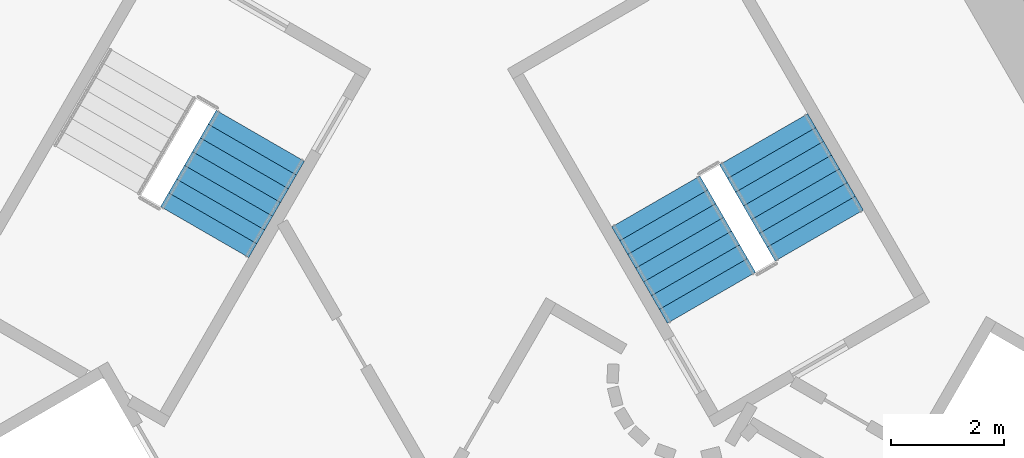
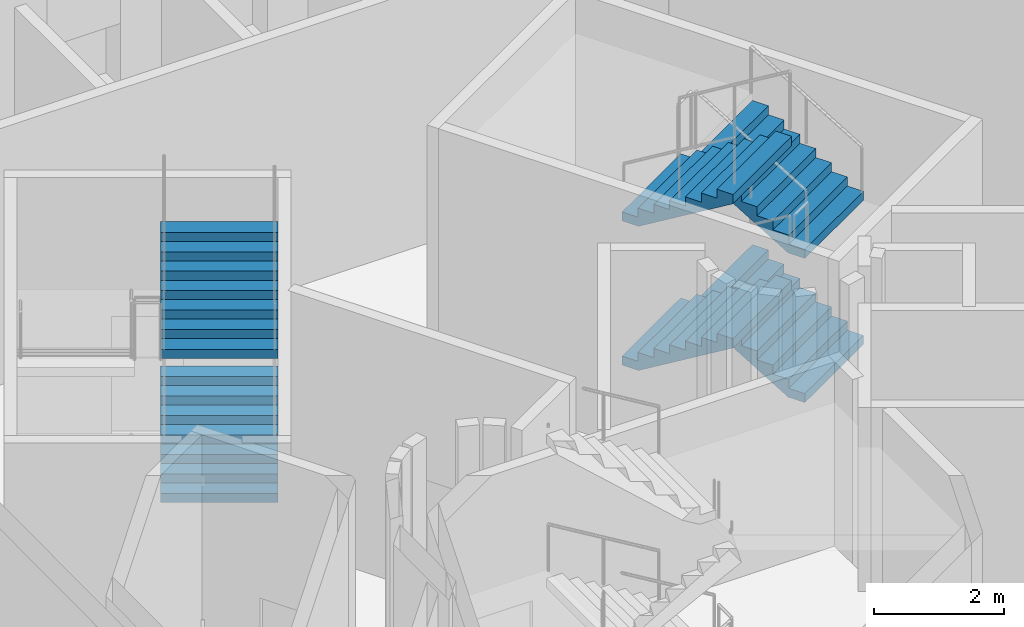
# One storey, part 13 of 21: 6 stair flights, 2 elements without a shape of their own.
"""IFC4 building model written with IfcOpenShell, lengths in metres."""

from ifc_helpers import new_model, si_unit, direction, frame, origin, place, context, subcontext, project, spatial, triangles, material, type_object, element, aggregate, save


model = new_model("IFC4")

# Units and contexts
model_context = context("Model", 3, precision=1e-05, world=origin(), true_north=direction((0.0, 1.0)))
body_context = subcontext(model_context, "Body", "Model", "MODEL_VIEW")
ifc_project = project(units=[si_unit("LENGTHUNIT", "METRE"), si_unit("AREAUNIT", "SQUARE_METRE"), si_unit("VOLUMEUNIT", "CUBIC_METRE"), si_unit("PLANEANGLEUNIT", "RADIAN"), si_unit("MASSUNIT", "GRAM", prefix="KILO")], contexts=[model_context])

# Site, building, storey
site_placement = place(None, origin())
site = spatial("IfcSite", under=ifc_project, at=site_placement, CompositionType="ELEMENT")
building_placement = place(site_placement, origin())
building = spatial("IfcBuilding", under=site, at=building_placement, Name="Entoto Arch Interchange Tower", CompositionType="ELEMENT")
storey_placement = place(building_placement, frame((0.0, 0.0, 81.199951171875)))
storey = spatial("IfcBuildingStorey", under=building, at=storey_placement, Name="L17", CompositionType="ELEMENT", Elevation=81.199951171875)

# Stair, stair flights
ifc_material = material(Name="Concrete C40/50", Category="concrete")
stair_type = type_object("IfcStairType", Name="EXIT STAIR RC 1800", PredefinedType="HALF_TURN_STAIR", material=ifc_material)
stair_1_placement = place(storey_placement, origin())
stair_1 = element("IfcStair", 1, at=stair_1_placement, inside=storey, type_object=stair_type, Name="L17 Exit stair NE", PredefinedType="HALF_TURN_STAIR")
stair_flight_type = type_object("IfcStairFlightType", Name="EXIT STAIR FLIGHT RC 1800", PredefinedType="STRAIGHT", material=ifc_material)
stair_flight_1_placement = place(storey_placement, frame((6.7138671875, 4.470947265625, 0.0), z_axis=(0.0, 0.0, 1.0), x_axis=(-0.5, 0.866025403784, 0.0)))
stair_flight_1 = element("IfcStairFlight", 2, at=stair_flight_1_placement, type_object=stair_flight_type, Name="ST-NE flight 1", NumberOfRisers=8, NumberOfTreads=7, PredefinedType="STRAIGHT", RiserHeight=0.16875, TreadLength=0.28, context=body_context, shape_type="Tessellation", body=[
    triangles([(-0.003, -0.900024, 0.0), (-0.003, -0.900024, 0.16875), (0.28, -0.900024, 0.16875), (0.28, -0.900024, 0.3375), (0.56, -0.900024, 0.3375), (0.56, -0.900024, 0.50625), (0.84, -0.900024, 0.50625), (0.84, -0.900024, 0.675), (1.12, -0.900024, 0.675), (1.12, -0.900024, 0.84375), (1.4, -0.900024, 0.84375), (1.4, -0.900024, 1.0125), (1.68, -0.900024, 1.0125), (1.68, -0.900024, 1.18125), (1.96, -0.900024, 1.18125), (1.963, -0.900024, 1.18125), (1.963, -0.900024, 1.008036), (0.290406, -0.900024, 0.0), (-0.003, 0.900024, 0.0), (-0.003, 0.900024, 0.16875), (0.28, 0.900024, 0.16875), (0.28, 0.900024, 0.3375), (0.56, 0.900024, 0.3375), (0.56, 0.900024, 0.50625), (0.84, 0.900024, 0.50625), (0.84, 0.900024, 0.675), (1.12, 0.900024, 0.675), (1.12, 0.900024, 0.84375), (1.4, 0.900024, 0.84375), (1.4, 0.900024, 1.0125), (1.68, 0.900024, 1.0125), (1.68, 0.900024, 1.18125), (1.96, 0.900024, 1.18125), (1.963, 0.900024, 1.18125), (1.963, 0.900024, 1.008036), (0.290406, 0.900024, 0.0), (-0.003, -0.450012, 0.0), (-0.003, -0.450012, 0.16875), (-0.003, 0.0, 0.0), (-0.003, 0.0, 0.16875), (-0.003, 0.450012, 0.0), (-0.003, 0.450012, 0.16875), (0.28, -0.450012, 0.16875), (0.28, 0.0, 0.16875), (0.28, 0.450012, 0.16875), (0.28, -0.450012, 0.3375), (0.28, 0.0, 0.3375), (0.28, 0.450012, 0.3375), (0.56, -0.450012, 0.3375), (0.56, 0.0, 0.3375), (0.56, 0.450012, 0.3375), (0.56, -0.450012, 0.50625), (0.56, 0.0, 0.50625), (0.56, 0.450012, 0.50625), (0.84, -0.450012, 0.50625), (0.84, 0.0, 0.50625), (0.84, 0.450012, 0.50625), (0.84, -0.450012, 0.675), (0.84, 0.0, 0.675), (0.84, 0.450012, 0.675), (1.12, -0.450012, 0.675), (1.12, 0.0, 0.675), (1.12, 0.450012, 0.675), (1.12, -0.450012, 0.84375), (1.12, 0.0, 0.84375), (1.12, 0.450012, 0.84375), (1.4, -0.450012, 0.84375), (1.4, 0.0, 0.84375), (1.4, 0.450012, 0.84375), (1.4, -0.450012, 1.0125), (1.4, 0.0, 1.0125), (1.4, 0.450012, 1.0125), (1.68, -0.450012, 1.0125), (1.68, 0.0, 1.0125), (1.68, 0.450012, 1.0125), (1.68, -0.450012, 1.18125), (1.68, 0.0, 1.18125), (1.68, 0.450012, 1.18125), (1.96, -0.450012, 1.18125), (1.96, 0.0, 1.18125), (1.96, 0.450012, 1.18125), (1.963, -0.450012, 1.18125), (1.963, 0.0, 1.18125), (1.963, 0.450012, 1.18125), (1.963, -0.450012, 1.008036), (1.963, 0.0, 1.008036), (1.963, 0.450012, 1.008036), (0.290406, -0.450012, 0.0), (0.290406, 0.0, 0.0), (0.290406, 0.450012, 0.0)], [[1, 18, 17], [17, 16, 15], [17, 15, 14], [17, 14, 13], [17, 13, 12], [17, 12, 11], [11, 10, 9], [17, 11, 9], [9, 8, 7], [17, 9, 7], [7, 6, 5], [17, 7, 5], [5, 4, 3], [17, 5, 3], [1, 17, 3], [3, 2, 1], [19, 35, 36], [35, 33, 34], [35, 32, 33], [35, 31, 32], [35, 30, 31], [35, 29, 30], [29, 27, 28], [35, 27, 29], [27, 25, 26], [35, 25, 27], [25, 23, 24], [35, 23, 25], [23, 21, 22], [35, 21, 23], [19, 21, 35], [21, 19, 20], [1, 2, 38], [1, 38, 37], [37, 38, 40], [37, 40, 39], [39, 40, 42], [39, 42, 41], [41, 42, 20], [41, 20, 19], [2, 3, 43], [2, 43, 38], [38, 43, 44], [38, 44, 40], [40, 44, 45], [40, 45, 42], [42, 45, 21], [42, 21, 20], [3, 4, 46], [3, 46, 43], [43, 46, 47], [43, 47, 44], [44, 47, 48], [44, 48, 45], [45, 48, 22], [45, 22, 21], [4, 5, 49], [4, 49, 46], [46, 49, 50], [46, 50, 47], [47, 50, 51], [47, 51, 48], [48, 51, 23], [48, 23, 22], [5, 6, 52], [5, 52, 49], [49, 52, 53], [49, 53, 50], [50, 53, 54], [50, 54, 51], [51, 54, 24], [51, 24, 23], [6, 7, 55], [6, 55, 52], [52, 55, 56], [52, 56, 53], [53, 56, 57], [53, 57, 54], [54, 57, 25], [54, 25, 24], [7, 8, 58], [7, 58, 55], [55, 58, 59], [55, 59, 56], [56, 59, 60], [56, 60, 57], [57, 60, 26], [57, 26, 25], [8, 9, 61], [8, 61, 58], [58, 61, 62], [58, 62, 59], [59, 62, 63], [59, 63, 60], [60, 63, 27], [60, 27, 26], [9, 10, 64], [9, 64, 61], [61, 64, 65], [61, 65, 62], [62, 65, 66], [62, 66, 63], [63, 66, 28], [63, 28, 27], [10, 11, 67], [10, 67, 64], [64, 67, 68], [64, 68, 65], [65, 68, 69], [65, 69, 66], [66, 69, 29], [66, 29, 28], [11, 12, 70], [11, 70, 67], [67, 70, 71], [67, 71, 68], [68, 71, 72], [68, 72, 69], [69, 72, 30], [69, 30, 29], [12, 13, 73], [12, 73, 70], [70, 73, 74], [70, 74, 71], [71, 74, 75], [71, 75, 72], [72, 75, 31], [72, 31, 30], [13, 14, 76], [13, 76, 73], [73, 76, 77], [73, 77, 74], [74, 77, 78], [74, 78, 75], [75, 78, 32], [75, 32, 31], [14, 15, 79], [14, 79, 76], [76, 79, 80], [76, 80, 77], [77, 80, 81], [77, 81, 78], [78, 81, 33], [78, 33, 32], [15, 16, 82], [15, 82, 79], [79, 82, 83], [79, 83, 80], [80, 83, 84], [80, 84, 81], [81, 84, 34], [81, 34, 33], [16, 17, 85], [16, 85, 82], [82, 85, 86], [82, 86, 83], [83, 86, 87], [83, 87, 84], [84, 87, 35], [84, 35, 34], [17, 18, 88], [17, 88, 85], [85, 88, 89], [85, 89, 86], [86, 89, 90], [86, 90, 87], [87, 90, 36], [87, 36, 35], [18, 1, 37], [18, 37, 88], [88, 37, 39], [88, 39, 89], [89, 39, 41], [89, 41, 90], [90, 41, 19], [90, 19, 36]], closed=True),
])
stair_flight_2_placement = place(storey_placement, frame((3.82861328125, 5.068359375, 1.35009765625), z_axis=(0.0, 0.0, 1.0), x_axis=(0.5, -0.866025403784, 0.0)))
stair_flight_2 = element("IfcStairFlight", 3, at=stair_flight_2_placement, type_object=stair_flight_type, Name="ST-NE flight 2", NumberOfRisers=8, NumberOfTreads=7, PredefinedType="STRAIGHT", RiserHeight=0.16875, TreadLength=0.28, context=body_context, shape_type="Tessellation", body=[
    triangles([(-0.003, -0.900024, 0.0), (-0.003, -0.900024, 0.16875), (0.28, -0.900024, 0.16875), (0.28, -0.900024, 0.3375), (0.56, -0.900024, 0.3375), (0.56, -0.900024, 0.50625), (0.84, -0.900024, 0.50625), (0.84, -0.900024, 0.675), (1.12, -0.900024, 0.675), (1.12, -0.900024, 0.84375), (1.4, -0.900024, 0.84375), (1.4, -0.900024, 1.0125), (1.68, -0.900024, 1.0125), (1.68, -0.900024, 1.18125), (1.96, -0.900024, 1.18125), (1.963, -0.900024, 1.18125), (1.963, -0.900024, 1.008036), (0.290406, -0.900024, 0.0), (-0.003, 0.900024, 0.0), (-0.003, 0.900024, 0.16875), (0.28, 0.900024, 0.16875), (0.28, 0.900024, 0.3375), (0.56, 0.900024, 0.3375), (0.56, 0.900024, 0.50625), (0.84, 0.900024, 0.50625), (0.84, 0.900024, 0.675), (1.12, 0.900024, 0.675), (1.12, 0.900024, 0.84375), (1.4, 0.900024, 0.84375), (1.4, 0.900024, 1.0125), (1.68, 0.900024, 1.0125), (1.68, 0.900024, 1.18125), (1.96, 0.900024, 1.18125), (1.963, 0.900024, 1.18125), (1.963, 0.900024, 1.008036), (0.290406, 0.900024, 0.0), (-0.003, -0.450012, 0.0), (-0.003, -0.450012, 0.16875), (-0.003, 0.0, 0.0), (-0.003, 0.0, 0.16875), (-0.003, 0.450012, 0.0), (-0.003, 0.450012, 0.16875), (0.28, -0.450012, 0.16875), (0.28, 0.0, 0.16875), (0.28, 0.450012, 0.16875), (0.28, -0.450012, 0.3375), (0.28, 0.0, 0.3375), (0.28, 0.450012, 0.3375), (0.56, -0.450012, 0.3375), (0.56, 0.0, 0.3375), (0.56, 0.450012, 0.3375), (0.56, -0.450012, 0.50625), (0.56, 0.0, 0.50625), (0.56, 0.450012, 0.50625), (0.84, -0.450012, 0.50625), (0.84, 0.0, 0.50625), (0.84, 0.450012, 0.50625), (0.84, -0.450012, 0.675), (0.84, 0.0, 0.675), (0.84, 0.450012, 0.675), (1.12, -0.450012, 0.675), (1.12, 0.0, 0.675), (1.12, 0.450012, 0.675), (1.12, -0.450012, 0.84375), (1.12, 0.0, 0.84375), (1.12, 0.450012, 0.84375), (1.4, -0.450012, 0.84375), (1.4, 0.0, 0.84375), (1.4, 0.450012, 0.84375), (1.4, -0.450012, 1.0125), (1.4, 0.0, 1.0125), (1.4, 0.450012, 1.0125), (1.68, -0.450012, 1.0125), (1.68, 0.0, 1.0125), (1.68, 0.450012, 1.0125), (1.68, -0.450012, 1.18125), (1.68, 0.0, 1.18125), (1.68, 0.450012, 1.18125), (1.96, -0.450012, 1.18125), (1.96, 0.0, 1.18125), (1.96, 0.450012, 1.18125), (1.963, -0.450012, 1.18125), (1.963, 0.0, 1.18125), (1.963, 0.450012, 1.18125), (1.963, -0.450012, 1.008036), (1.963, 0.0, 1.008036), (1.963, 0.450012, 1.008036), (0.290406, -0.450012, 0.0), (0.290406, 0.0, 0.0), (0.290406, 0.450012, 0.0)], [[1, 18, 17], [17, 16, 15], [17, 15, 14], [17, 14, 13], [17, 13, 12], [17, 12, 11], [11, 10, 9], [17, 11, 9], [9, 8, 7], [17, 9, 7], [7, 6, 5], [17, 7, 5], [5, 4, 3], [17, 5, 3], [1, 17, 3], [3, 2, 1], [19, 35, 36], [35, 33, 34], [35, 32, 33], [35, 31, 32], [35, 30, 31], [35, 29, 30], [29, 27, 28], [35, 27, 29], [27, 25, 26], [35, 25, 27], [25, 23, 24], [35, 23, 25], [23, 21, 22], [35, 21, 23], [19, 21, 35], [21, 19, 20], [1, 2, 38], [1, 38, 37], [37, 38, 40], [37, 40, 39], [39, 40, 42], [39, 42, 41], [41, 42, 20], [41, 20, 19], [2, 3, 43], [2, 43, 38], [38, 43, 44], [38, 44, 40], [40, 44, 45], [40, 45, 42], [42, 45, 21], [42, 21, 20], [3, 4, 46], [3, 46, 43], [43, 46, 47], [43, 47, 44], [44, 47, 48], [44, 48, 45], [45, 48, 22], [45, 22, 21], [4, 5, 49], [4, 49, 46], [46, 49, 50], [46, 50, 47], [47, 50, 51], [47, 51, 48], [48, 51, 23], [48, 23, 22], [5, 6, 52], [5, 52, 49], [49, 52, 53], [49, 53, 50], [50, 53, 54], [50, 54, 51], [51, 54, 24], [51, 24, 23], [6, 7, 55], [6, 55, 52], [52, 55, 56], [52, 56, 53], [53, 56, 57], [53, 57, 54], [54, 57, 25], [54, 25, 24], [7, 8, 58], [7, 58, 55], [55, 58, 59], [55, 59, 56], [56, 59, 60], [56, 60, 57], [57, 60, 26], [57, 26, 25], [8, 9, 61], [8, 61, 58], [58, 61, 62], [58, 62, 59], [59, 62, 63], [59, 63, 60], [60, 63, 27], [60, 27, 26], [9, 10, 64], [9, 64, 61], [61, 64, 65], [61, 65, 62], [62, 65, 66], [62, 66, 63], [63, 66, 28], [63, 28, 27], [10, 11, 67], [10, 67, 64], [64, 67, 68], [64, 68, 65], [65, 68, 69], [65, 69, 66], [66, 69, 29], [66, 29, 28], [11, 12, 70], [11, 70, 67], [67, 70, 71], [67, 71, 68], [68, 71, 72], [68, 72, 69], [69, 72, 30], [69, 30, 29], [12, 13, 73], [12, 73, 70], [70, 73, 74], [70, 74, 71], [71, 74, 75], [71, 75, 72], [72, 75, 31], [72, 31, 30], [13, 14, 76], [13, 76, 73], [73, 76, 77], [73, 77, 74], [74, 77, 78], [74, 78, 75], [75, 78, 32], [75, 32, 31], [14, 15, 79], [14, 79, 76], [76, 79, 80], [76, 80, 77], [77, 80, 81], [77, 81, 78], [78, 81, 33], [78, 33, 32], [15, 16, 82], [15, 82, 79], [79, 82, 83], [79, 83, 80], [80, 83, 84], [80, 84, 81], [81, 84, 34], [81, 34, 33], [16, 17, 85], [16, 85, 82], [82, 85, 86], [82, 86, 83], [83, 86, 87], [83, 87, 84], [84, 87, 35], [84, 35, 34], [17, 18, 88], [17, 88, 85], [85, 88, 89], [85, 89, 86], [86, 89, 90], [86, 90, 87], [87, 90, 36], [87, 36, 35], [18, 1, 37], [18, 37, 88], [88, 37, 39], [88, 39, 89], [89, 39, 41], [89, 41, 90], [90, 41, 19], [90, 19, 36]], closed=True),
])
stair_flight_3_placement = place(storey_placement, frame((6.7138671875, 4.470947265625, 2.699951171875), z_axis=(0.0, 0.0, 1.0), x_axis=(-0.5, 0.866025403784, 0.0)))
stair_flight_3 = element("IfcStairFlight", 4, at=stair_flight_3_placement, type_object=stair_flight_type, Name="ST-NE flight 3", NumberOfRisers=8, NumberOfTreads=7, PredefinedType="STRAIGHT", RiserHeight=0.16875, TreadLength=0.28, context=body_context, shape_type="Tessellation", body=[
    triangles([(-0.003, -0.900024, 0.0), (-0.003, -0.900024, 0.16875), (0.28, -0.900024, 0.16875), (0.28, -0.900024, 0.3375), (0.56, -0.900024, 0.3375), (0.56, -0.900024, 0.50625), (0.84, -0.900024, 0.50625), (0.84, -0.900024, 0.675), (1.12, -0.900024, 0.675), (1.12, -0.900024, 0.84375), (1.4, -0.900024, 0.84375), (1.4, -0.900024, 1.0125), (1.68, -0.900024, 1.0125), (1.68, -0.900024, 1.18125), (1.96, -0.900024, 1.18125), (1.963, -0.900024, 1.18125), (1.963, -0.900024, 1.008036), (0.290406, -0.900024, 0.0), (-0.003, 0.900024, 0.0), (-0.003, 0.900024, 0.16875), (0.28, 0.900024, 0.16875), (0.28, 0.900024, 0.3375), (0.56, 0.900024, 0.3375), (0.56, 0.900024, 0.50625), (0.84, 0.900024, 0.50625), (0.84, 0.900024, 0.675), (1.12, 0.900024, 0.675), (1.12, 0.900024, 0.84375), (1.4, 0.900024, 0.84375), (1.4, 0.900024, 1.0125), (1.68, 0.900024, 1.0125), (1.68, 0.900024, 1.18125), (1.96, 0.900024, 1.18125), (1.963, 0.900024, 1.18125), (1.963, 0.900024, 1.008036), (0.290406, 0.900024, 0.0), (-0.003, -0.450012, 0.0), (-0.003, -0.450012, 0.16875), (-0.003, 0.0, 0.0), (-0.003, 0.0, 0.16875), (-0.003, 0.450012, 0.0), (-0.003, 0.450012, 0.16875), (0.28, -0.450012, 0.16875), (0.28, 0.0, 0.16875), (0.28, 0.450012, 0.16875), (0.28, -0.450012, 0.3375), (0.28, 0.0, 0.3375), (0.28, 0.450012, 0.3375), (0.56, -0.450012, 0.3375), (0.56, 0.0, 0.3375), (0.56, 0.450012, 0.3375), (0.56, -0.450012, 0.50625), (0.56, 0.0, 0.50625), (0.56, 0.450012, 0.50625), (0.84, -0.450012, 0.50625), (0.84, 0.0, 0.50625), (0.84, 0.450012, 0.50625), (0.84, -0.450012, 0.675), (0.84, 0.0, 0.675), (0.84, 0.450012, 0.675), (1.12, -0.450012, 0.675), (1.12, 0.0, 0.675), (1.12, 0.450012, 0.675), (1.12, -0.450012, 0.84375), (1.12, 0.0, 0.84375), (1.12, 0.450012, 0.84375), (1.4, -0.450012, 0.84375), (1.4, 0.0, 0.84375), (1.4, 0.450012, 0.84375), (1.4, -0.450012, 1.0125), (1.4, 0.0, 1.0125), (1.4, 0.450012, 1.0125), (1.68, -0.450012, 1.0125), (1.68, 0.0, 1.0125), (1.68, 0.450012, 1.0125), (1.68, -0.450012, 1.18125), (1.68, 0.0, 1.18125), (1.68, 0.450012, 1.18125), (1.96, -0.450012, 1.18125), (1.96, 0.0, 1.18125), (1.96, 0.450012, 1.18125), (1.963, -0.450012, 1.18125), (1.963, 0.0, 1.18125), (1.963, 0.450012, 1.18125), (1.963, -0.450012, 1.008036), (1.963, 0.0, 1.008036), (1.963, 0.450012, 1.008036), (0.290406, -0.450012, 0.0), (0.290406, 0.0, 0.0), (0.290406, 0.450012, 0.0)], [[1, 18, 17], [17, 16, 15], [17, 15, 14], [17, 14, 13], [17, 13, 12], [17, 12, 11], [11, 10, 9], [17, 11, 9], [9, 8, 7], [17, 9, 7], [7, 6, 5], [17, 7, 5], [5, 4, 3], [17, 5, 3], [1, 17, 3], [3, 2, 1], [19, 35, 36], [35, 33, 34], [35, 32, 33], [35, 31, 32], [35, 30, 31], [35, 29, 30], [29, 27, 28], [35, 27, 29], [27, 25, 26], [35, 25, 27], [25, 23, 24], [35, 23, 25], [23, 21, 22], [35, 21, 23], [19, 21, 35], [21, 19, 20], [1, 2, 38], [1, 38, 37], [37, 38, 40], [37, 40, 39], [39, 40, 42], [39, 42, 41], [41, 42, 20], [41, 20, 19], [2, 3, 43], [2, 43, 38], [38, 43, 44], [38, 44, 40], [40, 44, 45], [40, 45, 42], [42, 45, 21], [42, 21, 20], [3, 4, 46], [3, 46, 43], [43, 46, 47], [43, 47, 44], [44, 47, 48], [44, 48, 45], [45, 48, 22], [45, 22, 21], [4, 5, 49], [4, 49, 46], [46, 49, 50], [46, 50, 47], [47, 50, 51], [47, 51, 48], [48, 51, 23], [48, 23, 22], [5, 6, 52], [5, 52, 49], [49, 52, 53], [49, 53, 50], [50, 53, 54], [50, 54, 51], [51, 54, 24], [51, 24, 23], [6, 7, 55], [6, 55, 52], [52, 55, 56], [52, 56, 53], [53, 56, 57], [53, 57, 54], [54, 57, 25], [54, 25, 24], [7, 8, 58], [7, 58, 55], [55, 58, 59], [55, 59, 56], [56, 59, 60], [56, 60, 57], [57, 60, 26], [57, 26, 25], [8, 9, 61], [8, 61, 58], [58, 61, 62], [58, 62, 59], [59, 62, 63], [59, 63, 60], [60, 63, 27], [60, 27, 26], [9, 10, 64], [9, 64, 61], [61, 64, 65], [61, 65, 62], [62, 65, 66], [62, 66, 63], [63, 66, 28], [63, 28, 27], [10, 11, 67], [10, 67, 64], [64, 67, 68], [64, 68, 65], [65, 68, 69], [65, 69, 66], [66, 69, 29], [66, 29, 28], [11, 12, 70], [11, 70, 67], [67, 70, 71], [67, 71, 68], [68, 71, 72], [68, 72, 69], [69, 72, 30], [69, 30, 29], [12, 13, 73], [12, 73, 70], [70, 73, 74], [70, 74, 71], [71, 74, 75], [71, 75, 72], [72, 75, 31], [72, 31, 30], [13, 14, 76], [13, 76, 73], [73, 76, 77], [73, 77, 74], [74, 77, 78], [74, 78, 75], [75, 78, 32], [75, 32, 31], [14, 15, 79], [14, 79, 76], [76, 79, 80], [76, 80, 77], [77, 80, 81], [77, 81, 78], [78, 81, 33], [78, 33, 32], [15, 16, 82], [15, 82, 79], [79, 82, 83], [79, 83, 80], [80, 83, 84], [80, 84, 81], [81, 84, 34], [81, 34, 33], [16, 17, 85], [16, 85, 82], [82, 85, 86], [82, 86, 83], [83, 86, 87], [83, 87, 84], [84, 87, 35], [84, 35, 34], [17, 18, 88], [17, 88, 85], [85, 88, 89], [85, 89, 86], [86, 89, 90], [86, 90, 87], [87, 90, 36], [87, 36, 35], [18, 1, 37], [18, 37, 88], [88, 37, 39], [88, 39, 89], [89, 39, 41], [89, 41, 90], [90, 41, 19], [90, 19, 36]], closed=True),
])
stair_flight_4_placement = place(storey_placement, frame((3.82861328125, 5.068359375, 4.050048828125), z_axis=(0.0, 0.0, 1.0), x_axis=(0.5, -0.866025403784, 0.0)))
stair_flight_4 = element("IfcStairFlight", 5, at=stair_flight_4_placement, type_object=stair_flight_type, Name="ST-NE flight 4", NumberOfRisers=8, NumberOfTreads=7, PredefinedType="STRAIGHT", RiserHeight=0.16875, TreadLength=0.28, context=body_context, shape_type="Tessellation", body=[
    triangles([(-0.003, -0.900024, 0.0), (-0.003, -0.900024, 0.16875), (0.28, -0.900024, 0.16875), (0.28, -0.900024, 0.3375), (0.56, -0.900024, 0.3375), (0.56, -0.900024, 0.50625), (0.84, -0.900024, 0.50625), (0.84, -0.900024, 0.675), (1.12, -0.900024, 0.675), (1.12, -0.900024, 0.84375), (1.4, -0.900024, 0.84375), (1.4, -0.900024, 1.0125), (1.68, -0.900024, 1.0125), (1.68, -0.900024, 1.18125), (1.96, -0.900024, 1.18125), (1.963, -0.900024, 1.18125), (1.963, -0.900024, 1.008036), (0.290406, -0.900024, 0.0), (-0.003, 0.900024, 0.0), (-0.003, 0.900024, 0.16875), (0.28, 0.900024, 0.16875), (0.28, 0.900024, 0.3375), (0.56, 0.900024, 0.3375), (0.56, 0.900024, 0.50625), (0.84, 0.900024, 0.50625), (0.84, 0.900024, 0.675), (1.12, 0.900024, 0.675), (1.12, 0.900024, 0.84375), (1.4, 0.900024, 0.84375), (1.4, 0.900024, 1.0125), (1.68, 0.900024, 1.0125), (1.68, 0.900024, 1.18125), (1.96, 0.900024, 1.18125), (1.963, 0.900024, 1.18125), (1.963, 0.900024, 1.008036), (0.290406, 0.900024, 0.0), (-0.003, -0.450012, 0.0), (-0.003, -0.450012, 0.16875), (-0.003, 0.0, 0.0), (-0.003, 0.0, 0.16875), (-0.003, 0.450012, 0.0), (-0.003, 0.450012, 0.16875), (0.28, -0.450012, 0.16875), (0.28, 0.0, 0.16875), (0.28, 0.450012, 0.16875), (0.28, -0.450012, 0.3375), (0.28, 0.0, 0.3375), (0.28, 0.450012, 0.3375), (0.56, -0.450012, 0.3375), (0.56, 0.0, 0.3375), (0.56, 0.450012, 0.3375), (0.56, -0.450012, 0.50625), (0.56, 0.0, 0.50625), (0.56, 0.450012, 0.50625), (0.84, -0.450012, 0.50625), (0.84, 0.0, 0.50625), (0.84, 0.450012, 0.50625), (0.84, -0.450012, 0.675), (0.84, 0.0, 0.675), (0.84, 0.450012, 0.675), (1.12, -0.450012, 0.675), (1.12, 0.0, 0.675), (1.12, 0.450012, 0.675), (1.12, -0.450012, 0.84375), (1.12, 0.0, 0.84375), (1.12, 0.450012, 0.84375), (1.4, -0.450012, 0.84375), (1.4, 0.0, 0.84375), (1.4, 0.450012, 0.84375), (1.4, -0.450012, 1.0125), (1.4, 0.0, 1.0125), (1.4, 0.450012, 1.0125), (1.68, -0.450012, 1.0125), (1.68, 0.0, 1.0125), (1.68, 0.450012, 1.0125), (1.68, -0.450012, 1.18125), (1.68, 0.0, 1.18125), (1.68, 0.450012, 1.18125), (1.96, -0.450012, 1.18125), (1.96, 0.0, 1.18125), (1.96, 0.450012, 1.18125), (1.963, -0.450012, 1.18125), (1.963, 0.0, 1.18125), (1.963, 0.450012, 1.18125), (1.963, -0.450012, 1.008036), (1.963, 0.0, 1.008036), (1.963, 0.450012, 1.008036), (0.290406, -0.450012, 0.0), (0.290406, 0.0, 0.0), (0.290406, 0.450012, 0.0)], [[1, 18, 17], [17, 16, 15], [17, 15, 14], [17, 14, 13], [17, 13, 12], [17, 12, 11], [11, 10, 9], [17, 11, 9], [9, 8, 7], [17, 9, 7], [7, 6, 5], [17, 7, 5], [5, 4, 3], [17, 5, 3], [1, 17, 3], [3, 2, 1], [19, 35, 36], [35, 33, 34], [35, 32, 33], [35, 31, 32], [35, 30, 31], [35, 29, 30], [29, 27, 28], [35, 27, 29], [27, 25, 26], [35, 25, 27], [25, 23, 24], [35, 23, 25], [23, 21, 22], [35, 21, 23], [19, 21, 35], [21, 19, 20], [1, 2, 38], [1, 38, 37], [37, 38, 40], [37, 40, 39], [39, 40, 42], [39, 42, 41], [41, 42, 20], [41, 20, 19], [2, 3, 43], [2, 43, 38], [38, 43, 44], [38, 44, 40], [40, 44, 45], [40, 45, 42], [42, 45, 21], [42, 21, 20], [3, 4, 46], [3, 46, 43], [43, 46, 47], [43, 47, 44], [44, 47, 48], [44, 48, 45], [45, 48, 22], [45, 22, 21], [4, 5, 49], [4, 49, 46], [46, 49, 50], [46, 50, 47], [47, 50, 51], [47, 51, 48], [48, 51, 23], [48, 23, 22], [5, 6, 52], [5, 52, 49], [49, 52, 53], [49, 53, 50], [50, 53, 54], [50, 54, 51], [51, 54, 24], [51, 24, 23], [6, 7, 55], [6, 55, 52], [52, 55, 56], [52, 56, 53], [53, 56, 57], [53, 57, 54], [54, 57, 25], [54, 25, 24], [7, 8, 58], [7, 58, 55], [55, 58, 59], [55, 59, 56], [56, 59, 60], [56, 60, 57], [57, 60, 26], [57, 26, 25], [8, 9, 61], [8, 61, 58], [58, 61, 62], [58, 62, 59], [59, 62, 63], [59, 63, 60], [60, 63, 27], [60, 27, 26], [9, 10, 64], [9, 64, 61], [61, 64, 65], [61, 65, 62], [62, 65, 66], [62, 66, 63], [63, 66, 28], [63, 28, 27], [10, 11, 67], [10, 67, 64], [64, 67, 68], [64, 68, 65], [65, 68, 69], [65, 69, 66], [66, 69, 29], [66, 29, 28], [11, 12, 70], [11, 70, 67], [67, 70, 71], [67, 71, 68], [68, 71, 72], [68, 72, 69], [69, 72, 30], [69, 30, 29], [12, 13, 73], [12, 73, 70], [70, 73, 74], [70, 74, 71], [71, 74, 75], [71, 75, 72], [72, 75, 31], [72, 31, 30], [13, 14, 76], [13, 76, 73], [73, 76, 77], [73, 77, 74], [74, 77, 78], [74, 78, 75], [75, 78, 32], [75, 32, 31], [14, 15, 79], [14, 79, 76], [76, 79, 80], [76, 80, 77], [77, 80, 81], [77, 81, 78], [78, 81, 33], [78, 33, 32], [15, 16, 82], [15, 82, 79], [79, 82, 83], [79, 83, 80], [80, 83, 84], [80, 84, 81], [81, 84, 34], [81, 34, 33], [16, 17, 85], [16, 85, 82], [82, 85, 86], [82, 86, 83], [83, 86, 87], [83, 87, 84], [84, 87, 35], [84, 35, 34], [17, 18, 88], [17, 88, 85], [85, 88, 89], [85, 89, 86], [86, 89, 90], [86, 90, 87], [87, 90, 36], [87, 36, 35], [18, 1, 37], [18, 37, 88], [88, 37, 39], [88, 39, 89], [89, 39, 41], [89, 41, 90], [90, 41, 19], [90, 19, 36]], closed=True),
])
aggregate(stair_1, [stair_flight_1, stair_flight_2, stair_flight_3, stair_flight_4])

stair_2_placement = place(storey_placement, origin())
stair_2 = element("IfcStair", 6, at=stair_2_placement, inside=storey, type_object=stair_type, Name="L17 Exit stair NW", PredefinedType="HALF_TURN_STAIR")
stair_flight_5_placement = place(storey_placement, frame((-4.138671875, 4.531494140625, 1.35009765625), z_axis=(0.0, 0.0, 1.0), x_axis=(0.5, 0.866025403784, 0.0)))
stair_flight_5 = element("IfcStairFlight", 7, at=stair_flight_5_placement, type_object=stair_flight_type, Name="ST-NW flight 2", NumberOfRisers=8, NumberOfTreads=7, PredefinedType="STRAIGHT", RiserHeight=0.16875, TreadLength=0.28, context=body_context, shape_type="Tessellation", body=[
    triangles([(-0.003, -0.900024, 0.0), (-0.003, -0.900024, 0.16875), (0.28, -0.900024, 0.16875), (0.28, -0.900024, 0.3375), (0.56, -0.900024, 0.3375), (0.56, -0.900024, 0.50625), (0.84, -0.900024, 0.50625), (0.84, -0.900024, 0.675), (1.12, -0.900024, 0.675), (1.12, -0.900024, 0.84375), (1.4, -0.900024, 0.84375), (1.4, -0.900024, 1.0125), (1.68, -0.900024, 1.0125), (1.68, -0.900024, 1.18125), (1.96, -0.900024, 1.18125), (1.963, -0.900024, 1.18125), (1.963, -0.900024, 1.008036), (0.290406, -0.900024, 0.0), (-0.003, 0.900024, 0.0), (-0.003, 0.900024, 0.16875), (0.28, 0.900024, 0.16875), (0.28, 0.900024, 0.3375), (0.56, 0.900024, 0.3375), (0.56, 0.900024, 0.50625), (0.84, 0.900024, 0.50625), (0.84, 0.900024, 0.675), (1.12, 0.900024, 0.675), (1.12, 0.900024, 0.84375), (1.4, 0.900024, 0.84375), (1.4, 0.900024, 1.0125), (1.68, 0.900024, 1.0125), (1.68, 0.900024, 1.18125), (1.96, 0.900024, 1.18125), (1.963, 0.900024, 1.18125), (1.963, 0.900024, 1.008036), (0.290406, 0.900024, 0.0), (-0.003, -0.450012, 0.0), (-0.003, -0.450012, 0.16875), (-0.003, 0.0, 0.0), (-0.003, 0.0, 0.16875), (-0.003, 0.450012, 0.0), (-0.003, 0.450012, 0.16875), (0.28, -0.450012, 0.16875), (0.28, 0.0, 0.16875), (0.28, 0.450012, 0.16875), (0.28, -0.450012, 0.3375), (0.28, 0.0, 0.3375), (0.28, 0.450012, 0.3375), (0.56, -0.450012, 0.3375), (0.56, 0.0, 0.3375), (0.56, 0.450012, 0.3375), (0.56, -0.450012, 0.50625), (0.56, 0.0, 0.50625), (0.56, 0.450012, 0.50625), (0.84, -0.450012, 0.50625), (0.84, 0.0, 0.50625), (0.84, 0.450012, 0.50625), (0.84, -0.450012, 0.675), (0.84, 0.0, 0.675), (0.84, 0.450012, 0.675), (1.12, -0.450012, 0.675), (1.12, 0.0, 0.675), (1.12, 0.450012, 0.675), (1.12, -0.450012, 0.84375), (1.12, 0.0, 0.84375), (1.12, 0.450012, 0.84375), (1.4, -0.450012, 0.84375), (1.4, 0.0, 0.84375), (1.4, 0.450012, 0.84375), (1.4, -0.450012, 1.0125), (1.4, 0.0, 1.0125), (1.4, 0.450012, 1.0125), (1.68, -0.450012, 1.0125), (1.68, 0.0, 1.0125), (1.68, 0.450012, 1.0125), (1.68, -0.450012, 1.18125), (1.68, 0.0, 1.18125), (1.68, 0.450012, 1.18125), (1.96, -0.450012, 1.18125), (1.96, 0.0, 1.18125), (1.96, 0.450012, 1.18125), (1.963, -0.450012, 1.18125), (1.963, 0.0, 1.18125), (1.963, 0.450012, 1.18125), (1.963, -0.450012, 1.008036), (1.963, 0.0, 1.008036), (1.963, 0.450012, 1.008036), (0.290406, -0.450012, 0.0), (0.290406, 0.0, 0.0), (0.290406, 0.450012, 0.0)], [[1, 18, 17], [17, 16, 15], [17, 15, 14], [17, 14, 13], [17, 13, 12], [17, 12, 11], [11, 10, 9], [17, 11, 9], [9, 8, 7], [17, 9, 7], [7, 6, 5], [17, 7, 5], [5, 4, 3], [17, 5, 3], [1, 17, 3], [3, 2, 1], [19, 35, 36], [35, 33, 34], [35, 32, 33], [35, 31, 32], [35, 30, 31], [35, 29, 30], [29, 27, 28], [35, 27, 29], [27, 25, 26], [35, 25, 27], [25, 23, 24], [35, 23, 25], [23, 21, 22], [35, 21, 23], [19, 21, 35], [21, 19, 20], [1, 2, 38], [1, 38, 37], [37, 38, 40], [37, 40, 39], [39, 40, 42], [39, 42, 41], [41, 42, 20], [41, 20, 19], [2, 3, 43], [2, 43, 38], [38, 43, 44], [38, 44, 40], [40, 44, 45], [40, 45, 42], [42, 45, 21], [42, 21, 20], [3, 4, 46], [3, 46, 43], [43, 46, 47], [43, 47, 44], [44, 47, 48], [44, 48, 45], [45, 48, 22], [45, 22, 21], [4, 5, 49], [4, 49, 46], [46, 49, 50], [46, 50, 47], [47, 50, 51], [47, 51, 48], [48, 51, 23], [48, 23, 22], [5, 6, 52], [5, 52, 49], [49, 52, 53], [49, 53, 50], [50, 53, 54], [50, 54, 51], [51, 54, 24], [51, 24, 23], [6, 7, 55], [6, 55, 52], [52, 55, 56], [52, 56, 53], [53, 56, 57], [53, 57, 54], [54, 57, 25], [54, 25, 24], [7, 8, 58], [7, 58, 55], [55, 58, 59], [55, 59, 56], [56, 59, 60], [56, 60, 57], [57, 60, 26], [57, 26, 25], [8, 9, 61], [8, 61, 58], [58, 61, 62], [58, 62, 59], [59, 62, 63], [59, 63, 60], [60, 63, 27], [60, 27, 26], [9, 10, 64], [9, 64, 61], [61, 64, 65], [61, 65, 62], [62, 65, 66], [62, 66, 63], [63, 66, 28], [63, 28, 27], [10, 11, 67], [10, 67, 64], [64, 67, 68], [64, 68, 65], [65, 68, 69], [65, 69, 66], [66, 69, 29], [66, 29, 28], [11, 12, 70], [11, 70, 67], [67, 70, 71], [67, 71, 68], [68, 71, 72], [68, 72, 69], [69, 72, 30], [69, 30, 29], [12, 13, 73], [12, 73, 70], [70, 73, 74], [70, 74, 71], [71, 74, 75], [71, 75, 72], [72, 75, 31], [72, 31, 30], [13, 14, 76], [13, 76, 73], [73, 76, 77], [73, 77, 74], [74, 77, 78], [74, 78, 75], [75, 78, 32], [75, 32, 31], [14, 15, 79], [14, 79, 76], [76, 79, 80], [76, 80, 77], [77, 80, 81], [77, 81, 78], [78, 81, 33], [78, 33, 32], [15, 16, 82], [15, 82, 79], [79, 82, 83], [79, 83, 80], [80, 83, 84], [80, 84, 81], [81, 84, 34], [81, 34, 33], [16, 17, 85], [16, 85, 82], [82, 85, 86], [82, 86, 83], [83, 86, 87], [83, 87, 84], [84, 87, 35], [84, 35, 34], [17, 18, 88], [17, 88, 85], [85, 88, 89], [85, 89, 86], [86, 89, 90], [86, 90, 87], [87, 90, 36], [87, 36, 35], [18, 1, 37], [18, 37, 88], [88, 37, 39], [88, 39, 89], [89, 39, 41], [89, 41, 90], [90, 41, 19], [90, 19, 36]], closed=True),
])
stair_flight_6_placement = place(storey_placement, frame((-4.138671875, 4.531494140625, 4.050048828125), z_axis=(0.0, 0.0, 1.0), x_axis=(0.5, 0.866025403784, 0.0)))
stair_flight_6 = element("IfcStairFlight", 8, at=stair_flight_6_placement, type_object=stair_flight_type, Name="ST-NW flight 4", NumberOfRisers=8, NumberOfTreads=7, PredefinedType="STRAIGHT", RiserHeight=0.16875, TreadLength=0.28, context=body_context, shape_type="Tessellation", body=[
    triangles([(-0.003, -0.900024, 0.0), (-0.003, -0.900024, 0.16875), (0.28, -0.900024, 0.16875), (0.28, -0.900024, 0.3375), (0.56, -0.900024, 0.3375), (0.56, -0.900024, 0.50625), (0.84, -0.900024, 0.50625), (0.84, -0.900024, 0.675), (1.12, -0.900024, 0.675), (1.12, -0.900024, 0.84375), (1.4, -0.900024, 0.84375), (1.4, -0.900024, 1.0125), (1.68, -0.900024, 1.0125), (1.68, -0.900024, 1.18125), (1.96, -0.900024, 1.18125), (1.963, -0.900024, 1.18125), (1.963, -0.900024, 1.008036), (0.290406, -0.900024, 0.0), (-0.003, 0.900024, 0.0), (-0.003, 0.900024, 0.16875), (0.28, 0.900024, 0.16875), (0.28, 0.900024, 0.3375), (0.56, 0.900024, 0.3375), (0.56, 0.900024, 0.50625), (0.84, 0.900024, 0.50625), (0.84, 0.900024, 0.675), (1.12, 0.900024, 0.675), (1.12, 0.900024, 0.84375), (1.4, 0.900024, 0.84375), (1.4, 0.900024, 1.0125), (1.68, 0.900024, 1.0125), (1.68, 0.900024, 1.18125), (1.96, 0.900024, 1.18125), (1.963, 0.900024, 1.18125), (1.963, 0.900024, 1.008036), (0.290406, 0.900024, 0.0), (-0.003, -0.450012, 0.0), (-0.003, -0.450012, 0.16875), (-0.003, 0.0, 0.0), (-0.003, 0.0, 0.16875), (-0.003, 0.450012, 0.0), (-0.003, 0.450012, 0.16875), (0.28, -0.450012, 0.16875), (0.28, 0.0, 0.16875), (0.28, 0.450012, 0.16875), (0.28, -0.450012, 0.3375), (0.28, 0.0, 0.3375), (0.28, 0.450012, 0.3375), (0.56, -0.450012, 0.3375), (0.56, 0.0, 0.3375), (0.56, 0.450012, 0.3375), (0.56, -0.450012, 0.50625), (0.56, 0.0, 0.50625), (0.56, 0.450012, 0.50625), (0.84, -0.450012, 0.50625), (0.84, 0.0, 0.50625), (0.84, 0.450012, 0.50625), (0.84, -0.450012, 0.675), (0.84, 0.0, 0.675), (0.84, 0.450012, 0.675), (1.12, -0.450012, 0.675), (1.12, 0.0, 0.675), (1.12, 0.450012, 0.675), (1.12, -0.450012, 0.84375), (1.12, 0.0, 0.84375), (1.12, 0.450012, 0.84375), (1.4, -0.450012, 0.84375), (1.4, 0.0, 0.84375), (1.4, 0.450012, 0.84375), (1.4, -0.450012, 1.0125), (1.4, 0.0, 1.0125), (1.4, 0.450012, 1.0125), (1.68, -0.450012, 1.0125), (1.68, 0.0, 1.0125), (1.68, 0.450012, 1.0125), (1.68, -0.450012, 1.18125), (1.68, 0.0, 1.18125), (1.68, 0.450012, 1.18125), (1.96, -0.450012, 1.18125), (1.96, 0.0, 1.18125), (1.96, 0.450012, 1.18125), (1.963, -0.450012, 1.18125), (1.963, 0.0, 1.18125), (1.963, 0.450012, 1.18125), (1.963, -0.450012, 1.008036), (1.963, 0.0, 1.008036), (1.963, 0.450012, 1.008036), (0.290406, -0.450012, 0.0), (0.290406, 0.0, 0.0), (0.290406, 0.450012, 0.0)], [[1, 18, 17], [17, 16, 15], [17, 15, 14], [17, 14, 13], [17, 13, 12], [17, 12, 11], [11, 10, 9], [17, 11, 9], [9, 8, 7], [17, 9, 7], [7, 6, 5], [17, 7, 5], [5, 4, 3], [17, 5, 3], [1, 17, 3], [3, 2, 1], [19, 35, 36], [35, 33, 34], [35, 32, 33], [35, 31, 32], [35, 30, 31], [35, 29, 30], [29, 27, 28], [35, 27, 29], [27, 25, 26], [35, 25, 27], [25, 23, 24], [35, 23, 25], [23, 21, 22], [35, 21, 23], [19, 21, 35], [21, 19, 20], [1, 2, 38], [1, 38, 37], [37, 38, 40], [37, 40, 39], [39, 40, 42], [39, 42, 41], [41, 42, 20], [41, 20, 19], [2, 3, 43], [2, 43, 38], [38, 43, 44], [38, 44, 40], [40, 44, 45], [40, 45, 42], [42, 45, 21], [42, 21, 20], [3, 4, 46], [3, 46, 43], [43, 46, 47], [43, 47, 44], [44, 47, 48], [44, 48, 45], [45, 48, 22], [45, 22, 21], [4, 5, 49], [4, 49, 46], [46, 49, 50], [46, 50, 47], [47, 50, 51], [47, 51, 48], [48, 51, 23], [48, 23, 22], [5, 6, 52], [5, 52, 49], [49, 52, 53], [49, 53, 50], [50, 53, 54], [50, 54, 51], [51, 54, 24], [51, 24, 23], [6, 7, 55], [6, 55, 52], [52, 55, 56], [52, 56, 53], [53, 56, 57], [53, 57, 54], [54, 57, 25], [54, 25, 24], [7, 8, 58], [7, 58, 55], [55, 58, 59], [55, 59, 56], [56, 59, 60], [56, 60, 57], [57, 60, 26], [57, 26, 25], [8, 9, 61], [8, 61, 58], [58, 61, 62], [58, 62, 59], [59, 62, 63], [59, 63, 60], [60, 63, 27], [60, 27, 26], [9, 10, 64], [9, 64, 61], [61, 64, 65], [61, 65, 62], [62, 65, 66], [62, 66, 63], [63, 66, 28], [63, 28, 27], [10, 11, 67], [10, 67, 64], [64, 67, 68], [64, 68, 65], [65, 68, 69], [65, 69, 66], [66, 69, 29], [66, 29, 28], [11, 12, 70], [11, 70, 67], [67, 70, 71], [67, 71, 68], [68, 71, 72], [68, 72, 69], [69, 72, 30], [69, 30, 29], [12, 13, 73], [12, 73, 70], [70, 73, 74], [70, 74, 71], [71, 74, 75], [71, 75, 72], [72, 75, 31], [72, 31, 30], [13, 14, 76], [13, 76, 73], [73, 76, 77], [73, 77, 74], [74, 77, 78], [74, 78, 75], [75, 78, 32], [75, 32, 31], [14, 15, 79], [14, 79, 76], [76, 79, 80], [76, 80, 77], [77, 80, 81], [77, 81, 78], [78, 81, 33], [78, 33, 32], [15, 16, 82], [15, 82, 79], [79, 82, 83], [79, 83, 80], [80, 83, 84], [80, 84, 81], [81, 84, 34], [81, 34, 33], [16, 17, 85], [16, 85, 82], [82, 85, 86], [82, 86, 83], [83, 86, 87], [83, 87, 84], [84, 87, 35], [84, 35, 34], [17, 18, 88], [17, 88, 85], [85, 88, 89], [85, 89, 86], [86, 89, 90], [86, 90, 87], [87, 90, 36], [87, 36, 35], [18, 1, 37], [18, 37, 88], [88, 37, 39], [88, 39, 89], [89, 39, 41], [89, 41, 90], [90, 41, 19], [90, 19, 36]], closed=True),
])
aggregate(stair_2, [stair_flight_5, stair_flight_6])

save(model, "model.ifc")
